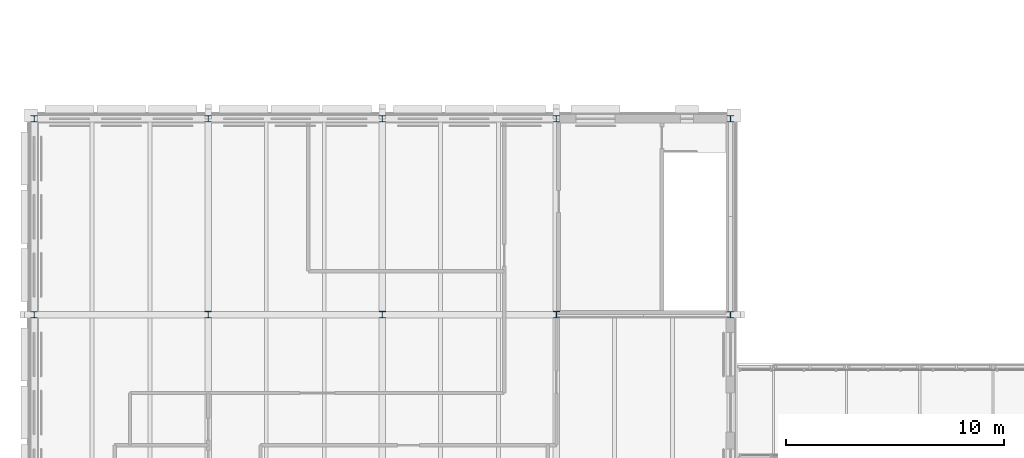
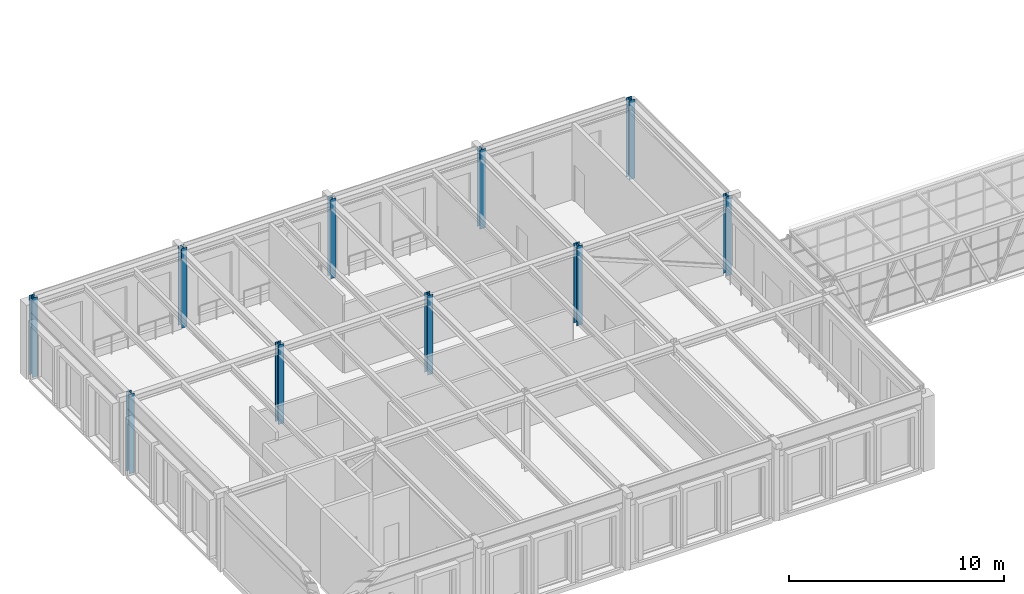
# One storey, part 8 of 149: 10 columns.
"""IFC4 building model written with IfcOpenShell, lengths in metres."""

from ifc_helpers import new_model, si_unit, direction, frame, origin, origin_2d, place, context, subcontext, project, spatial, i_section, extrude, material, material_profile, profile_set, type_object, element, save


model = new_model("IFC4")

# Units and contexts
model_context = context("Model", 3, precision=1e-05, world=origin(), true_north=direction((0.0, 1.0)))
body_context = subcontext(model_context, "Body", "Model", "MODEL_VIEW")
ifc_project = project(units=[si_unit("LENGTHUNIT", "METRE"), si_unit("AREAUNIT", "SQUARE_METRE"), si_unit("VOLUMEUNIT", "CUBIC_METRE"), si_unit("PLANEANGLEUNIT", "RADIAN"), si_unit("MASSUNIT", "GRAM", prefix="KILO")], contexts=[model_context])

# Site, building, storey
site_placement = place(None, origin())
site = spatial("IfcSite", under=ifc_project, at=site_placement, CompositionType="ELEMENT")
building_placement = place(site_placement, origin())
building = spatial("IfcBuilding", under=site, at=building_placement, Name="Kallimachos Central Library", CompositionType="ELEMENT")
storey_placement = place(building_placement, frame((0.0, 0.0, 9.89990234375)))
storey = spatial("IfcBuildingStorey", under=building, at=storey_placement, Name="L02", CompositionType="ELEMENT", Elevation=9.89990234375)

# Columns
ifc_material_1 = material(Name="Steel S355J2", Category="steel")
ifc_material_profile_1 = material_profile(ifc_material_1, i_section(OverallWidth=0.300048828125, OverallDepth=0.2900390625, WebThickness=0.008544921875, FlangeThickness=0.013916015625, FilletRadius=0.027099609375, at=origin_2d()), Name="HEA 300")
ifc_profile_set_1 = profile_set([ifc_material_profile_1], Name="Steel S355J2")
column_type_1 = type_object("IfcColumnType", Name="HEA 300 column", PredefinedType="COLUMN", material=ifc_profile_set_1)
for number, where, z_axis, x_axis, name in (
    (1, (6.0, 105.0, 0.0), (0.0, 0.0, 1.0), (1.0, 0.0, 0.0), "V2-COL-L02-003"),
    (2, (6.0, 114.0, 0.0), (0.0, 0.0, 1.0), (1.0, 0.0, 0.0), "V2-COL-L02-004"),
    (3, (14.0, 114.0, 0.0), (0.0, 0.0, 1.0), (1.0, 0.0, 0.0), "V2-COL-L02-008"),
    (4, (22.0, 114.0, 0.0), (0.0, 0.0, 1.0), (1.0, 0.0, 0.0), "V2-COL-L02-012"),
    (5, (30.0, 114.0, 0.0), (0.0, 0.0, 1.0), (1.0, 0.0, 0.0), "V2-COL-L02-016"),
    (6, (38.0, 105.0, 0.0), (0.0, 0.0, 1.0), (1.0, 0.0, 0.0), "V2-COL-L02-019"),
    (7, (38.0, 114.0, 0.0), (0.0, 0.0, 1.0), (1.0, 0.0, 0.0), "V2-COL-L02-020"),
):
    element("IfcColumn", number, at=place(storey_placement, frame(where, z_axis=z_axis, x_axis=x_axis)), inside=storey, type_object=column_type_1, Name=name, PredefinedType="COLUMN", context=body_context, shape_type="SweptSolid", body=[
        extrude(i_section(OverallWidth=0.300048828125, OverallDepth=0.2900390625, WebThickness=0.008544921875, FlangeThickness=0.013916015625, FilletRadius=0.027099609375, at=origin_2d()), origin(), (0.0, 0.0, 1.0), 4.5),
    ])
ifc_material_2 = material(Name="Steel S355J2", Category="steel")
ifc_material_profile_2 = material_profile(ifc_material_2, i_section(OverallWidth=0.300048828125, OverallDepth=0.300048828125, WebThickness=0.010986328125, FlangeThickness=0.01904296875, FilletRadius=0.027099609375, at=origin_2d()), Name="HEB 300")
ifc_profile_set_2 = profile_set([ifc_material_profile_2], Name="Steel S355J2")
column_type_2 = type_object("IfcColumnType", Name="HEB 300 column", PredefinedType="COLUMN", material=ifc_profile_set_2)
for number, where, z_axis, x_axis, name in (
    (8, (14.0, 105.0, 0.0), (0.0, 0.0, 1.0), (1.0, 0.0, 0.0), "V2-COL-L02-007"),
    (9, (22.0, 105.0, 0.0), (0.0, 0.0, 1.0), (1.0, 0.0, 0.0), "V2-COL-L02-011"),
    (10, (30.0, 105.0, 0.0), (0.0, 0.0, 1.0), (1.0, 0.0, 0.0), "V2-COL-L02-015"),
):
    element("IfcColumn", number, at=place(storey_placement, frame(where, z_axis=z_axis, x_axis=x_axis)), inside=storey, type_object=column_type_2, Name=name, PredefinedType="COLUMN", context=body_context, shape_type="SweptSolid", body=[
        extrude(i_section(OverallWidth=0.300048828125, OverallDepth=0.300048828125, WebThickness=0.010986328125, FlangeThickness=0.01904296875, FilletRadius=0.027099609375, at=origin_2d()), origin(), (0.0, 0.0, 1.0), 4.5),
    ])

save(model, "model.ifc")
